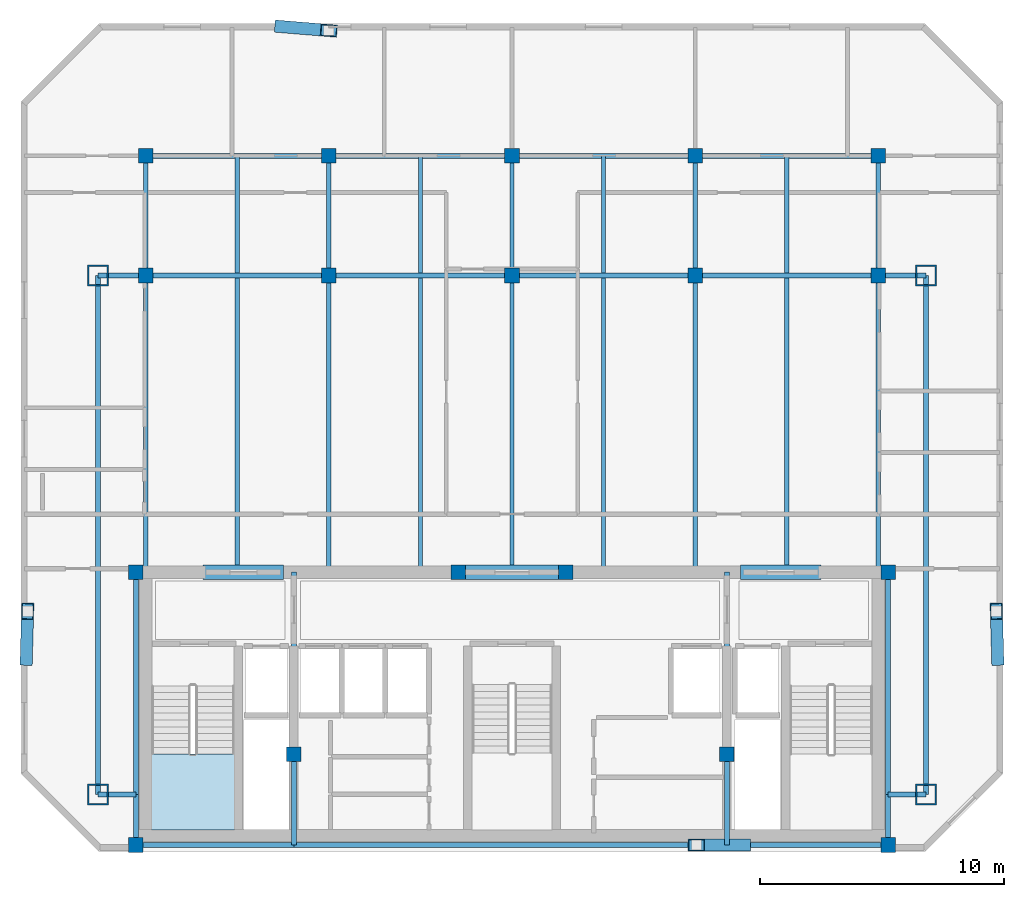
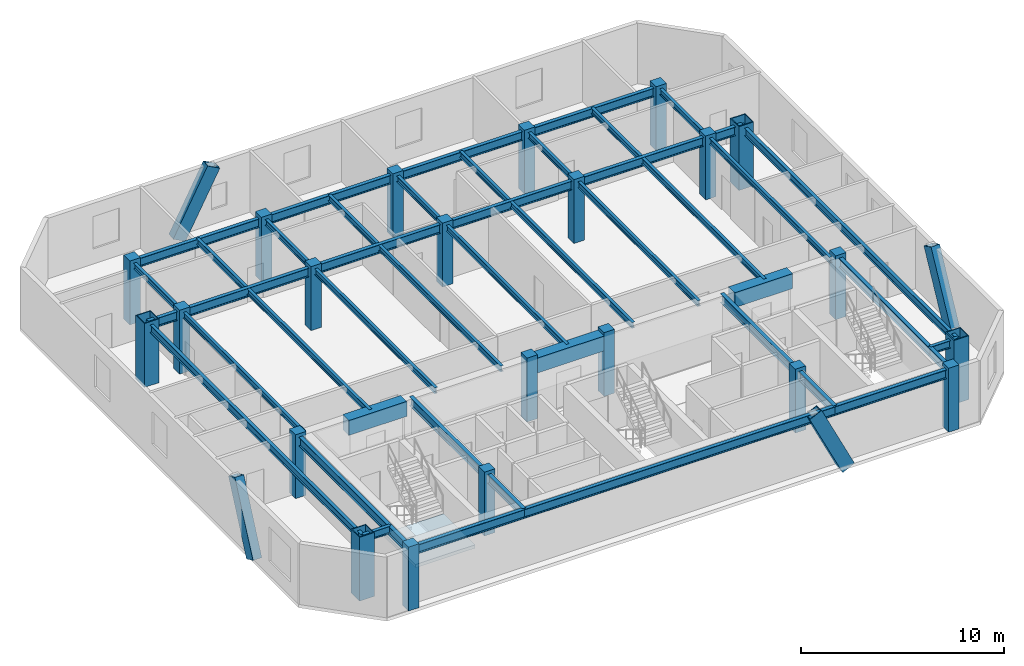
# One storey, part 1 of 6: 46 beams, 22 columns, 4 members, 1 slab, 1 element without a shape of its own.
"""IFC4 building model written with IfcOpenShell, lengths in metres."""

from ifc_helpers import new_model, si_unit, direction, frame, origin, origin_2d, place, context, subcontext, project, spatial, polyline, rectangle, hollow_rectangle, i_section, outline, extrude, material, layer, layer_set, material_profile, profile_set, type_object, element, aggregate, save


model = new_model("IFC4")

# Units and contexts
model_context = context("Model", 3, precision=1e-05, world=origin(), true_north=direction((0.0, 1.0)))
body_context = subcontext(model_context, "Body", "Model", "MODEL_VIEW")
ifc_project = project(units=[si_unit("LENGTHUNIT", "METRE"), si_unit("AREAUNIT", "SQUARE_METRE"), si_unit("VOLUMEUNIT", "CUBIC_METRE"), si_unit("PLANEANGLEUNIT", "RADIAN"), si_unit("MASSUNIT", "GRAM", prefix="KILO")], contexts=[model_context])

# Site, building, storey
site_placement = place(None, origin())
site = spatial("IfcSite", under=ifc_project, at=site_placement, CompositionType="ELEMENT")
building_placement = place(site_placement, origin())
building = spatial("IfcBuilding", under=site, at=building_placement, Name="Ventersveld Concourse Tower", CompositionType="ELEMENT")
storey_placement = place(building_placement, frame((0.0, 0.0, 296.449951171875)))
storey = spatial("IfcBuildingStorey", under=building, at=storey_placement, Name="L73", CompositionType="ELEMENT", Elevation=296.449951171875)

# Columns
ifc_material_1 = material(Name="Concrete C50/60", Category="concrete")
ifc_material_profile_1 = material_profile(ifc_material_1, rectangle(XDim=0.60009765625, YDim=0.60009765625, at=origin_2d()), Name="RC 600x600")
ifc_profile_set_1 = profile_set([ifc_material_profile_1], Name="Concrete C50/60")
column_type_1 = type_object("IfcColumnType", Name="COL-RC600", PredefinedType="COLUMN", material=ifc_profile_set_1)
for number, where, z_axis, x_axis, name in (
    (1, (13.35009765625, 0.280029296875, 0.0), (0.0, 0.0, 1.0), (1.0, 0.0, 0.0), "L73 Core Spine Column CC-SW"),
    (2, (44.14990234375, 0.280029296875, 0.0), (0.0, 0.0, 1.0), (1.0, 0.0, 0.0), "L73 Core Spine Column CC-SE"),
    (3, (13.35009765625, 11.449951171875, 0.0), (0.0, 0.0, 1.0), (1.0, 0.0, 0.0), "L73 Core Spine Column CC-NW"),
    (4, (44.14990234375, 11.449951171875, 0.0), (0.0, 0.0, 1.0), (1.0, 0.0, 0.0), "L73 Core Spine Column CC-NE"),
    (5, (19.820068359375, 4.0, 0.0), (0.0, 0.0, 1.0), (1.0, 0.0, 0.0), "L73 Core Spine Column CM-1"),
    (6, (37.550048828125, 4.0, 0.0), (0.0, 0.0, 1.0), (1.0, 0.0, 0.0), "L73 Core Spine Column CM-2"),
    (7, (26.550048828125, 11.449951171875, 0.0), (0.0, 0.0, 1.0), (1.0, 0.0, 0.0), "L73 Core Spine Column CM-3"),
    (8, (30.949951171875, 11.449951171875, 0.0), (0.0, 0.0, 1.0), (1.0, 0.0, 0.0), "L73 Core Spine Column CM-4"),
    (9, (13.75, 23.60009765625, 0.0), (0.0, 0.0, 1.0), (1.0, 0.0, 0.0), "L73 Interior Gravity Column X=13.75 Y=23.60"),
    (10, (21.25, 23.60009765625, 0.0), (0.0, 0.0, 1.0), (1.0, 0.0, 0.0), "L73 Interior Gravity Column X=21.25 Y=23.60"),
    (11, (28.75, 23.60009765625, 0.0), (0.0, 0.0, 1.0), (1.0, 0.0, 0.0), "L73 Interior Gravity Column X=28.75 Y=23.60"),
    (12, (36.25, 23.60009765625, 0.0), (0.0, 0.0, 1.0), (1.0, 0.0, 0.0), "L73 Interior Gravity Column X=36.25 Y=23.60"),
    (13, (43.75, 23.60009765625, 0.0), (0.0, 0.0, 1.0), (1.0, 0.0, 0.0), "L73 Interior Gravity Column X=43.75 Y=23.60"),
    (14, (13.75, 28.5, 0.0), (0.0, 0.0, 1.0), (1.0, 0.0, 0.0), "L73 Upper-North Gravity Column X=13.75 Y=28.50"),
    (15, (21.25, 28.5, 0.0), (0.0, 0.0, 1.0), (1.0, 0.0, 0.0), "L73 Upper-North Gravity Column X=21.25 Y=28.50"),
    (16, (28.75, 28.5, 0.0), (0.0, 0.0, 1.0), (1.0, 0.0, 0.0), "L73 Upper-North Gravity Column X=28.75 Y=28.50"),
    (17, (36.25, 28.5, 0.0), (0.0, 0.0, 1.0), (1.0, 0.0, 0.0), "L73 Upper-North Gravity Column X=36.25 Y=28.50"),
    (18, (43.75, 28.5, 0.0), (0.0, 0.0, 1.0), (1.0, 0.0, 0.0), "L73 Upper-North Gravity Column X=43.75 Y=28.50"),
):
    element("IfcColumn", number, at=place(storey_placement, frame(where, z_axis=z_axis, x_axis=x_axis)), inside=storey, type_object=column_type_1, Name=name, PredefinedType="COLUMN", context=body_context, shape_type="SweptSolid", body=[
        extrude(rectangle(XDim=0.60009765625, YDim=0.60009765625, at=origin_2d()), origin(), (0.0, 0.0, 1.0), 3.85009765625),
    ])
ifc_material_2 = material(Name="Structural steel S460ML", Category="steel")
ifc_material_profile_2 = material_profile(ifc_material_2, hollow_rectangle(XDim=0.85009765625, YDim=0.85009765625, WallThickness=0.050048828125, at=origin_2d()), Name="BOX 850x850x50")
ifc_profile_set_2 = profile_set([ifc_material_profile_2], Name="Structural steel S460ML")
column_type_2 = type_object("IfcColumnType", Name="MC-850", PredefinedType="USERDEFINED", material=ifc_profile_set_2)
for number, where, z_axis, x_axis, name in (
    (19, (11.800048828125, 2.35009765625, 0.0), (0.0, 0.0, 1.0), (1.0, 0.0, 0.0), "L73 Corner Mega-Column MC-SW"),
    (20, (45.699951171875, 2.35009765625, 0.0), (0.0, 0.0, 1.0), (1.0, 0.0, 0.0), "L73 Corner Mega-Column MC-SE"),
    (21, (45.699951171875, 23.60009765625, 0.0), (0.0, 0.0, 1.0), (1.0, 0.0, 0.0), "L73 Corner Mega-Column MC-NE"),
    (22, (11.800048828125, 23.60009765625, 0.0), (0.0, 0.0, 1.0), (1.0, 0.0, 0.0), "L73 Corner Mega-Column MC-NW"),
):
    element("IfcColumn", number, at=place(storey_placement, frame(where, z_axis=z_axis, x_axis=x_axis)), inside=storey, type_object=column_type_2, Name=name, ObjectType="MEGA_COLUMN", PredefinedType="USERDEFINED", context=body_context, shape_type="SweptSolid", body=[
        extrude(hollow_rectangle(XDim=0.85009765625, YDim=0.85009765625, WallThickness=0.050048828125, at=origin_2d()), origin(), (0.0, 0.0, 1.0), 3.85009765625),
    ])

# Beams
ifc_material_3 = material(Name="Structural steel S355J2", Category="steel")
ifc_material_profile_3 = material_profile(ifc_material_3, i_section(OverallWidth=0.17138671875, OverallDepth=0.35498046875, WebThickness=0.00732421875, FlangeThickness=0.011474609375, FilletRadius=0.01025390625, at=origin_2d()), Name="UB 356x171x51")
ifc_profile_set_3 = profile_set([ifc_material_profile_3], Name="Structural steel S355J2")
beam_type_1 = type_object("IfcBeamType", Name="BM-UB356", PredefinedType="BEAM", material=ifc_profile_set_3)
beam_1_placement = place(storey_placement, frame((13.75, 11.449951171875, 3.47265625), z_axis=(0.0, 1.0, 0.0), x_axis=(-1.0, 0.0, 0.0)))
element("IfcBeam", 23, at=beam_1_placement, inside=storey, type_object=beam_type_1, Name="L73 N-S Composite Floor Beam South X=13.75", PredefinedType="BEAM", context=body_context, shape_type="SweptSolid", body=[
    extrude(i_section(OverallWidth=0.17138671875, OverallDepth=0.35498046875, WebThickness=0.00732421875, FlangeThickness=0.011474609375, FilletRadius=0.01025390625, at=origin_2d()), origin(), (0.0, 0.0, 1.0), 12.150146484375),
])
beam_2_placement = place(storey_placement, frame((13.75, 23.60009765625, 3.47265625), z_axis=(0.0, 1.0, 0.0), x_axis=(-1.0, 0.0, 0.0)))
element("IfcBeam", 24, at=beam_2_placement, inside=storey, type_object=beam_type_1, Name="L73 N-S Upper-Zone Floor Beam X=13.75", PredefinedType="BEAM", context=body_context, shape_type="SweptSolid", body=[
    extrude(i_section(OverallWidth=0.17138671875, OverallDepth=0.35498046875, WebThickness=0.00732421875, FlangeThickness=0.011474609375, FilletRadius=0.01025390625, at=origin_2d()), origin(), (0.0, 0.0, 1.0), 4.89990234375),
])
beam_3_placement = place(storey_placement, frame((17.5, 11.449951171875, 3.47265625), z_axis=(0.0, 1.0, 0.0), x_axis=(-1.0, 0.0, 0.0)))
element("IfcBeam", 25, at=beam_3_placement, inside=storey, type_object=beam_type_1, Name="L73 N-S Composite Floor Beam South X=17.50", PredefinedType="BEAM", context=body_context, shape_type="SweptSolid", body=[
    extrude(i_section(OverallWidth=0.17138671875, OverallDepth=0.35498046875, WebThickness=0.00732421875, FlangeThickness=0.011474609375, FilletRadius=0.01025390625, at=origin_2d()), origin(), (0.0, 0.0, 1.0), 12.054931640625),
])
beam_4_placement = place(storey_placement, frame((17.5, 23.695068359375, 3.47265625), z_axis=(0.0, 1.0, 0.0), x_axis=(-1.0, 0.0, 0.0)))
element("IfcBeam", 26, at=beam_4_placement, inside=storey, type_object=beam_type_1, Name="L73 N-S Upper-Zone Floor Beam X=17.50", PredefinedType="BEAM", context=body_context, shape_type="SweptSolid", body=[
    extrude(i_section(OverallWidth=0.17138671875, OverallDepth=0.35498046875, WebThickness=0.00732421875, FlangeThickness=0.011474609375, FilletRadius=0.01025390625, at=origin_2d()), origin(), (0.0, 0.0, 1.0), 4.804931640625),
])
beam_5_placement = place(storey_placement, frame((21.25, 11.449951171875, 3.47265625), z_axis=(0.0, 1.0, 0.0), x_axis=(-1.0, 0.0, 0.0)))
element("IfcBeam", 27, at=beam_5_placement, inside=storey, type_object=beam_type_1, Name="L73 N-S Composite Floor Beam South X=21.25", PredefinedType="BEAM", context=body_context, shape_type="SweptSolid", body=[
    extrude(i_section(OverallWidth=0.17138671875, OverallDepth=0.35498046875, WebThickness=0.00732421875, FlangeThickness=0.011474609375, FilletRadius=0.01025390625, at=origin_2d()), origin(), (0.0, 0.0, 1.0), 12.150146484375),
])
beam_6_placement = place(storey_placement, frame((21.25, 23.60009765625, 3.47265625), z_axis=(0.0, 1.0, 0.0), x_axis=(-1.0, 0.0, 0.0)))
element("IfcBeam", 28, at=beam_6_placement, inside=storey, type_object=beam_type_1, Name="L73 N-S Upper-Zone Floor Beam X=21.25", PredefinedType="BEAM", context=body_context, shape_type="SweptSolid", body=[
    extrude(i_section(OverallWidth=0.17138671875, OverallDepth=0.35498046875, WebThickness=0.00732421875, FlangeThickness=0.011474609375, FilletRadius=0.01025390625, at=origin_2d()), origin(), (0.0, 0.0, 1.0), 4.89990234375),
])
beam_7_placement = place(storey_placement, frame((25.0, 11.449951171875, 3.47265625), z_axis=(0.0, 1.0, 0.0), x_axis=(-1.0, 0.0, 0.0)))
element("IfcBeam", 29, at=beam_7_placement, inside=storey, type_object=beam_type_1, Name="L73 N-S Composite Floor Beam South X=25.00", PredefinedType="BEAM", context=body_context, shape_type="SweptSolid", body=[
    extrude(i_section(OverallWidth=0.17138671875, OverallDepth=0.35498046875, WebThickness=0.00732421875, FlangeThickness=0.011474609375, FilletRadius=0.01025390625, at=origin_2d()), origin(), (0.0, 0.0, 1.0), 12.054931640625),
])
beam_8_placement = place(storey_placement, frame((25.0, 23.695068359375, 3.47265625), z_axis=(0.0, 1.0, 0.0), x_axis=(-1.0, 0.0, 0.0)))
element("IfcBeam", 30, at=beam_8_placement, inside=storey, type_object=beam_type_1, Name="L73 N-S Upper-Zone Floor Beam X=25.00", PredefinedType="BEAM", context=body_context, shape_type="SweptSolid", body=[
    extrude(i_section(OverallWidth=0.17138671875, OverallDepth=0.35498046875, WebThickness=0.00732421875, FlangeThickness=0.011474609375, FilletRadius=0.01025390625, at=origin_2d()), origin(), (0.0, 0.0, 1.0), 4.804931640625),
])
beam_9_placement = place(storey_placement, frame((28.75, 11.449951171875, 3.47265625), z_axis=(0.0, 1.0, 0.0), x_axis=(-1.0, 0.0, 0.0)))
element("IfcBeam", 31, at=beam_9_placement, inside=storey, type_object=beam_type_1, Name="L73 N-S Composite Floor Beam South X=28.75", PredefinedType="BEAM", context=body_context, shape_type="SweptSolid", body=[
    extrude(i_section(OverallWidth=0.17138671875, OverallDepth=0.35498046875, WebThickness=0.00732421875, FlangeThickness=0.011474609375, FilletRadius=0.01025390625, at=origin_2d()), origin(), (0.0, 0.0, 1.0), 12.150146484375),
])
beam_10_placement = place(storey_placement, frame((28.75, 23.60009765625, 3.47265625), z_axis=(0.0, 1.0, 0.0), x_axis=(-1.0, 0.0, 0.0)))
element("IfcBeam", 32, at=beam_10_placement, inside=storey, type_object=beam_type_1, Name="L73 N-S Upper-Zone Floor Beam X=28.75", PredefinedType="BEAM", context=body_context, shape_type="SweptSolid", body=[
    extrude(i_section(OverallWidth=0.17138671875, OverallDepth=0.35498046875, WebThickness=0.00732421875, FlangeThickness=0.011474609375, FilletRadius=0.01025390625, at=origin_2d()), origin(), (0.0, 0.0, 1.0), 4.89990234375),
])
beam_11_placement = place(storey_placement, frame((32.5, 11.449951171875, 3.47265625), z_axis=(0.0, 1.0, 0.0), x_axis=(-1.0, 0.0, 0.0)))
element("IfcBeam", 33, at=beam_11_placement, inside=storey, type_object=beam_type_1, Name="L73 N-S Composite Floor Beam South X=32.50", PredefinedType="BEAM", context=body_context, shape_type="SweptSolid", body=[
    extrude(i_section(OverallWidth=0.17138671875, OverallDepth=0.35498046875, WebThickness=0.00732421875, FlangeThickness=0.011474609375, FilletRadius=0.01025390625, at=origin_2d()), origin(), (0.0, 0.0, 1.0), 12.054931640625),
])
beam_12_placement = place(storey_placement, frame((32.5, 23.695068359375, 3.47265625), z_axis=(0.0, 1.0, 0.0), x_axis=(-1.0, 0.0, 0.0)))
element("IfcBeam", 34, at=beam_12_placement, inside=storey, type_object=beam_type_1, Name="L73 N-S Upper-Zone Floor Beam X=32.50", PredefinedType="BEAM", context=body_context, shape_type="SweptSolid", body=[
    extrude(i_section(OverallWidth=0.17138671875, OverallDepth=0.35498046875, WebThickness=0.00732421875, FlangeThickness=0.011474609375, FilletRadius=0.01025390625, at=origin_2d()), origin(), (0.0, 0.0, 1.0), 4.804931640625),
])
beam_13_placement = place(storey_placement, frame((36.25, 11.449951171875, 3.47265625), z_axis=(0.0, 1.0, 0.0), x_axis=(-1.0, 0.0, 0.0)))
element("IfcBeam", 35, at=beam_13_placement, inside=storey, type_object=beam_type_1, Name="L73 N-S Composite Floor Beam South X=36.25", PredefinedType="BEAM", context=body_context, shape_type="SweptSolid", body=[
    extrude(i_section(OverallWidth=0.17138671875, OverallDepth=0.35498046875, WebThickness=0.00732421875, FlangeThickness=0.011474609375, FilletRadius=0.01025390625, at=origin_2d()), origin(), (0.0, 0.0, 1.0), 12.150146484375),
])
beam_14_placement = place(storey_placement, frame((36.25, 23.60009765625, 3.47265625), z_axis=(0.0, 1.0, 0.0), x_axis=(-1.0, 0.0, 0.0)))
element("IfcBeam", 36, at=beam_14_placement, inside=storey, type_object=beam_type_1, Name="L73 N-S Upper-Zone Floor Beam X=36.25", PredefinedType="BEAM", context=body_context, shape_type="SweptSolid", body=[
    extrude(i_section(OverallWidth=0.17138671875, OverallDepth=0.35498046875, WebThickness=0.00732421875, FlangeThickness=0.011474609375, FilletRadius=0.01025390625, at=origin_2d()), origin(), (0.0, 0.0, 1.0), 4.89990234375),
])
beam_15_placement = place(storey_placement, frame((40.0, 11.449951171875, 3.47265625), z_axis=(0.0, 1.0, 0.0), x_axis=(-1.0, 0.0, 0.0)))
element("IfcBeam", 37, at=beam_15_placement, inside=storey, type_object=beam_type_1, Name="L73 N-S Composite Floor Beam South X=40.00", PredefinedType="BEAM", context=body_context, shape_type="SweptSolid", body=[
    extrude(i_section(OverallWidth=0.17138671875, OverallDepth=0.35498046875, WebThickness=0.00732421875, FlangeThickness=0.011474609375, FilletRadius=0.01025390625, at=origin_2d()), origin(), (0.0, 0.0, 1.0), 12.054931640625),
])
beam_16_placement = place(storey_placement, frame((40.0, 23.695068359375, 3.47265625), z_axis=(0.0, 1.0, 0.0), x_axis=(-1.0, 0.0, 0.0)))
element("IfcBeam", 38, at=beam_16_placement, inside=storey, type_object=beam_type_1, Name="L73 N-S Upper-Zone Floor Beam X=40.00", PredefinedType="BEAM", context=body_context, shape_type="SweptSolid", body=[
    extrude(i_section(OverallWidth=0.17138671875, OverallDepth=0.35498046875, WebThickness=0.00732421875, FlangeThickness=0.011474609375, FilletRadius=0.01025390625, at=origin_2d()), origin(), (0.0, 0.0, 1.0), 4.804931640625),
])
beam_17_placement = place(storey_placement, frame((43.75, 11.449951171875, 3.47265625), z_axis=(0.0, 1.0, 0.0), x_axis=(-1.0, 0.0, 0.0)))
element("IfcBeam", 39, at=beam_17_placement, inside=storey, type_object=beam_type_1, Name="L73 N-S Composite Floor Beam South X=43.75", PredefinedType="BEAM", context=body_context, shape_type="SweptSolid", body=[
    extrude(i_section(OverallWidth=0.17138671875, OverallDepth=0.35498046875, WebThickness=0.00732421875, FlangeThickness=0.011474609375, FilletRadius=0.01025390625, at=origin_2d()), origin(), (0.0, 0.0, 1.0), 12.150146484375),
])
beam_18_placement = place(storey_placement, frame((43.75, 23.60009765625, 3.47265625), z_axis=(0.0, 1.0, 0.0), x_axis=(-1.0, 0.0, 0.0)))
element("IfcBeam", 40, at=beam_18_placement, inside=storey, type_object=beam_type_1, Name="L73 N-S Upper-Zone Floor Beam X=43.75", PredefinedType="BEAM", context=body_context, shape_type="SweptSolid", body=[
    extrude(i_section(OverallWidth=0.17138671875, OverallDepth=0.35498046875, WebThickness=0.00732421875, FlangeThickness=0.011474609375, FilletRadius=0.01025390625, at=origin_2d()), origin(), (0.0, 0.0, 1.0), 4.89990234375),
])
ifc_material_profile_4 = material_profile(ifc_material_1, rectangle(XDim=0.60009765625, YDim=0.89990234375, at=origin_2d()), Name="RC 600x900")
ifc_profile_set_4 = profile_set([ifc_material_profile_4], Name="Concrete C50/60")
beam_type_2 = type_object("IfcBeamType", Name="CB-RC600x900U", PredefinedType="LINTEL", material=ifc_profile_set_4)
beam_19_placement = place(storey_placement, frame((16.10009765625, 11.449951171875, 3.199951171875), z_axis=(1.0, 0.0, 0.0), x_axis=(0.0, 1.0, 0.0)))
element("IfcBeam", 41, at=beam_19_placement, inside=storey, type_object=beam_type_2, Name="L73 Core Coupling Lintel Beam 1", PredefinedType="LINTEL", context=body_context, shape_type="SweptSolid", body=[
    extrude(rectangle(XDim=0.60009765625, YDim=0.89990234375, at=origin_2d()), origin(), (0.0, 0.0, 1.0), 3.2998046875),
])
beam_20_placement = place(storey_placement, frame((26.5, 11.449951171875, 3.199951171875), z_axis=(1.0, 0.0, 0.0), x_axis=(0.0, 1.0, 0.0)))
element("IfcBeam", 42, at=beam_20_placement, inside=storey, type_object=beam_type_2, Name="L73 Core Coupling Lintel Beam 2", PredefinedType="LINTEL", context=body_context, shape_type="SweptSolid", body=[
    extrude(rectangle(XDim=0.60009765625, YDim=0.89990234375, at=origin_2d()), origin(), (0.0, 0.0, 1.0), 4.5),
])
beam_21_placement = place(storey_placement, frame((38.10009765625, 11.449951171875, 3.199951171875), z_axis=(1.0, 0.0, 0.0), x_axis=(0.0, 1.0, 0.0)))
element("IfcBeam", 43, at=beam_21_placement, inside=storey, type_object=beam_type_2, Name="L73 Core Coupling Lintel Beam 3", PredefinedType="LINTEL", context=body_context, shape_type="SweptSolid", body=[
    extrude(rectangle(XDim=0.60009765625, YDim=0.89990234375, at=origin_2d()), origin(), (0.0, 0.0, 1.0), 3.2998046875),
])
ifc_material_profile_5 = material_profile(ifc_material_3, i_section(OverallWidth=0.209228515625, OverallDepth=0.533203125, WebThickness=0.010009765625, FlangeThickness=0.015625, FilletRadius=0.0126953125, at=origin_2d()), Name="UB 533x210x92")
ifc_profile_set_5 = profile_set([ifc_material_profile_5], Name="Structural steel S355J2")
beam_type_3 = type_object("IfcBeamType", Name="GRD-UB533", PredefinedType="T_BEAM", material=ifc_profile_set_5)
beam_22_placement = place(storey_placement, frame((11.800048828125, 23.60009765625, 3.383544921875), z_axis=(1.0, 0.0, 0.0), x_axis=(0.0, 1.0, 0.0)))
element("IfcBeam", 44, at=beam_22_placement, inside=storey, type_object=beam_type_3, Name="L73 Primary E-W Grid Girder Y=23.60 #1", PredefinedType="T_BEAM", context=body_context, shape_type="SweptSolid", body=[
    extrude(i_section(OverallWidth=0.209228515625, OverallDepth=0.533203125, WebThickness=0.010009765625, FlangeThickness=0.015625, FilletRadius=0.0126953125, at=origin_2d()), origin(), (0.0, 0.0, 1.0), 1.949951171875),
])
for number, where, z_axis, x_axis, name in (
    (45, (13.75, 23.60009765625, 3.383544921875), (1.0, 0.0, 0.0), (0.0, 1.0, 0.0), "L73 Primary E-W Grid Girder Y=23.60 #2"),
    (46, (21.25, 23.60009765625, 3.383544921875), (1.0, 0.0, 0.0), (0.0, 1.0, 0.0), "L73 Primary E-W Grid Girder Y=23.60 #3"),
    (47, (28.75, 23.60009765625, 3.383544921875), (1.0, 0.0, 0.0), (0.0, 1.0, 0.0), "L73 Primary E-W Grid Girder Y=23.60 #4"),
    (48, (36.25, 23.60009765625, 3.383544921875), (1.0, 0.0, 0.0), (0.0, 1.0, 0.0), "L73 Primary E-W Grid Girder Y=23.60 #5"),
):
    element("IfcBeam", number, at=place(storey_placement, frame(where, z_axis=z_axis, x_axis=x_axis)), inside=storey, type_object=beam_type_3, Name=name, PredefinedType="T_BEAM", context=body_context, shape_type="SweptSolid", body=[
        extrude(i_section(OverallWidth=0.209228515625, OverallDepth=0.533203125, WebThickness=0.010009765625, FlangeThickness=0.015625, FilletRadius=0.0126953125, at=origin_2d()), origin(), (0.0, 0.0, 1.0), 7.5),
    ])
beam_23_placement = place(storey_placement, frame((43.75, 23.60009765625, 3.383544921875), z_axis=(1.0, 0.0, 0.0), x_axis=(0.0, 1.0, 0.0)))
element("IfcBeam", 49, at=beam_23_placement, inside=storey, type_object=beam_type_3, Name="L73 Primary E-W Grid Girder Y=23.60 #6", PredefinedType="T_BEAM", context=body_context, shape_type="SweptSolid", body=[
    extrude(i_section(OverallWidth=0.209228515625, OverallDepth=0.533203125, WebThickness=0.010009765625, FlangeThickness=0.015625, FilletRadius=0.0126953125, at=origin_2d()), origin(), (0.0, 0.0, 1.0), 1.949951171875),
])
for number, where, z_axis, x_axis, name in (
    (50, (13.75, 28.5, 3.383544921875), (1.0, 0.0, 0.0), (0.0, 1.0, 0.0), "L73 Upper-North E-W Girder Y=28.50 #1"),
    (51, (21.25, 28.5, 3.383544921875), (1.0, 0.0, 0.0), (0.0, 1.0, 0.0), "L73 Upper-North E-W Girder Y=28.50 #2"),
    (52, (28.75, 28.5, 3.383544921875), (1.0, 0.0, 0.0), (0.0, 1.0, 0.0), "L73 Upper-North E-W Girder Y=28.50 #3"),
    (53, (36.25, 28.5, 3.383544921875), (1.0, 0.0, 0.0), (0.0, 1.0, 0.0), "L73 Upper-North E-W Girder Y=28.50 #4"),
):
    element("IfcBeam", number, at=place(storey_placement, frame(where, z_axis=z_axis, x_axis=x_axis)), inside=storey, type_object=beam_type_3, Name=name, PredefinedType="T_BEAM", context=body_context, shape_type="SweptSolid", body=[
        extrude(i_section(OverallWidth=0.209228515625, OverallDepth=0.533203125, WebThickness=0.010009765625, FlangeThickness=0.015625, FilletRadius=0.0126953125, at=origin_2d()), origin(), (0.0, 0.0, 1.0), 7.5),
    ])
ifc_material_profile_6 = material_profile(ifc_material_3, i_section(OverallWidth=0.2119140625, OverallDepth=0.54443359375, WebThickness=0.0126953125, FlangeThickness=0.021240234375, FilletRadius=0.0126953125, at=origin_2d()), Name="UB 533x210x122")
ifc_profile_set_6 = profile_set([ifc_material_profile_6], Name="Structural steel S355J2")
beam_type_4 = type_object("IfcBeamType", Name="GRD-UB533H", PredefinedType="T_BEAM", material=ifc_profile_set_6)
beam_24_placement = place(storey_placement, frame((13.35009765625, 0.280029296875, 3.3779296875), z_axis=(0.0, 1.0, 0.0), x_axis=(-1.0, 0.0, 0.0)))
element("IfcBeam", 54, at=beam_24_placement, inside=storey, type_object=beam_type_4, Name="L73 Core West Tie Beam S", PredefinedType="T_BEAM", context=body_context, shape_type="SweptSolid", body=[
    extrude(i_section(OverallWidth=0.2119140625, OverallDepth=0.54443359375, WebThickness=0.0126953125, FlangeThickness=0.021240234375, FilletRadius=0.0126953125, at=origin_2d()), origin(), (0.0, 0.0, 1.0), 2.070068359375),
])
beam_25_placement = place(storey_placement, frame((13.35009765625, 2.35009765625, 3.3779296875), z_axis=(0.0, 1.0, 0.0), x_axis=(-1.0, 0.0, 0.0)))
element("IfcBeam", 55, at=beam_25_placement, inside=storey, type_object=beam_type_4, Name="L73 Core West Tie Beam N", PredefinedType="T_BEAM", context=body_context, shape_type="SweptSolid", body=[
    extrude(i_section(OverallWidth=0.2119140625, OverallDepth=0.54443359375, WebThickness=0.0126953125, FlangeThickness=0.021240234375, FilletRadius=0.0126953125, at=origin_2d()), origin(), (0.0, 0.0, 1.0), 9.099853515625),
])
beam_26_placement = place(storey_placement, frame((44.14990234375, 0.280029296875, 3.3779296875), z_axis=(0.0, 1.0, 0.0), x_axis=(-1.0, 0.0, 0.0)))
element("IfcBeam", 56, at=beam_26_placement, inside=storey, type_object=beam_type_4, Name="L73 Core East Tie Beam S", PredefinedType="T_BEAM", context=body_context, shape_type="SweptSolid", body=[
    extrude(i_section(OverallWidth=0.2119140625, OverallDepth=0.54443359375, WebThickness=0.0126953125, FlangeThickness=0.021240234375, FilletRadius=0.0126953125, at=origin_2d()), origin(), (0.0, 0.0, 1.0), 2.070068359375),
])
beam_27_placement = place(storey_placement, frame((44.14990234375, 2.35009765625, 3.3779296875), z_axis=(0.0, 1.0, 0.0), x_axis=(-1.0, 0.0, 0.0)))
element("IfcBeam", 57, at=beam_27_placement, inside=storey, type_object=beam_type_4, Name="L73 Core East Tie Beam N", PredefinedType="T_BEAM", context=body_context, shape_type="SweptSolid", body=[
    extrude(i_section(OverallWidth=0.2119140625, OverallDepth=0.54443359375, WebThickness=0.0126953125, FlangeThickness=0.021240234375, FilletRadius=0.0126953125, at=origin_2d()), origin(), (0.0, 0.0, 1.0), 9.099853515625),
])
beam_28_placement = place(storey_placement, frame((13.35009765625, 0.280029296875, 3.3779296875), z_axis=(1.0, 0.0, 0.0), x_axis=(0.0, 1.0, 0.0)))
element("IfcBeam", 58, at=beam_28_placement, inside=storey, type_object=beam_type_4, Name="L73 Core South Tie Beam W", PredefinedType="T_BEAM", context=body_context, shape_type="SweptSolid", body=[
    extrude(i_section(OverallWidth=0.2119140625, OverallDepth=0.54443359375, WebThickness=0.0126953125, FlangeThickness=0.021240234375, FilletRadius=0.0126953125, at=origin_2d()), origin(), (0.0, 0.0, 1.0), 6.469970703125),
])
beam_29_placement = place(storey_placement, frame((19.820068359375, 0.280029296875, 3.3779296875), z_axis=(1.0, 0.0, 0.0), x_axis=(0.0, 1.0, 0.0)))
element("IfcBeam", 59, at=beam_29_placement, inside=storey, type_object=beam_type_4, Name="L73 Core South Tie Beam C", PredefinedType="T_BEAM", context=body_context, shape_type="SweptSolid", body=[
    extrude(i_section(OverallWidth=0.2119140625, OverallDepth=0.54443359375, WebThickness=0.0126953125, FlangeThickness=0.021240234375, FilletRadius=0.0126953125, at=origin_2d()), origin(), (0.0, 0.0, 1.0), 17.72998046875),
])
beam_30_placement = place(storey_placement, frame((37.550048828125, 0.280029296875, 3.3779296875), z_axis=(1.0, 0.0, 0.0), x_axis=(0.0, 1.0, 0.0)))
element("IfcBeam", 60, at=beam_30_placement, inside=storey, type_object=beam_type_4, Name="L73 Core South Tie Beam E", PredefinedType="T_BEAM", context=body_context, shape_type="SweptSolid", body=[
    extrude(i_section(OverallWidth=0.2119140625, OverallDepth=0.54443359375, WebThickness=0.0126953125, FlangeThickness=0.021240234375, FilletRadius=0.0126953125, at=origin_2d()), origin(), (0.0, 0.0, 1.0), 6.599853515625),
])
beam_31_placement = place(storey_placement, frame((19.820068359375, 0.280029296875, 3.3779296875), z_axis=(0.0, 1.0, 0.0), x_axis=(-1.0, 0.0, 0.0)))
element("IfcBeam", 61, at=beam_31_placement, inside=storey, type_object=beam_type_4, Name="L73 Core Spine N-S Tie Beam W1", PredefinedType="T_BEAM", context=body_context, shape_type="SweptSolid", body=[
    extrude(i_section(OverallWidth=0.2119140625, OverallDepth=0.54443359375, WebThickness=0.0126953125, FlangeThickness=0.021240234375, FilletRadius=0.0126953125, at=origin_2d()), origin(), (0.0, 0.0, 1.0), 3.719970703125),
])
beam_32_placement = place(storey_placement, frame((19.820068359375, 4.0, 3.3779296875), z_axis=(0.0, 1.0, 0.0), x_axis=(-1.0, 0.0, 0.0)))
element("IfcBeam", 62, at=beam_32_placement, inside=storey, type_object=beam_type_4, Name="L73 Core Spine N-S Tie Beam W2", PredefinedType="T_BEAM", context=body_context, shape_type="SweptSolid", body=[
    extrude(i_section(OverallWidth=0.2119140625, OverallDepth=0.54443359375, WebThickness=0.0126953125, FlangeThickness=0.021240234375, FilletRadius=0.0126953125, at=origin_2d()), origin(), (0.0, 0.0, 1.0), 7.449951171875),
])
beam_33_placement = place(storey_placement, frame((37.550048828125, 0.280029296875, 3.3779296875), z_axis=(0.0, 1.0, 0.0), x_axis=(-1.0, 0.0, 0.0)))
element("IfcBeam", 63, at=beam_33_placement, inside=storey, type_object=beam_type_4, Name="L73 Core Spine N-S Tie Beam E1", PredefinedType="T_BEAM", context=body_context, shape_type="SweptSolid", body=[
    extrude(i_section(OverallWidth=0.2119140625, OverallDepth=0.54443359375, WebThickness=0.0126953125, FlangeThickness=0.021240234375, FilletRadius=0.0126953125, at=origin_2d()), origin(), (0.0, 0.0, 1.0), 3.719970703125),
])
beam_34_placement = place(storey_placement, frame((37.550048828125, 4.0, 3.3779296875), z_axis=(0.0, 1.0, 0.0), x_axis=(-1.0, 0.0, 0.0)))
element("IfcBeam", 64, at=beam_34_placement, inside=storey, type_object=beam_type_4, Name="L73 Core Spine N-S Tie Beam E2", PredefinedType="T_BEAM", context=body_context, shape_type="SweptSolid", body=[
    extrude(i_section(OverallWidth=0.2119140625, OverallDepth=0.54443359375, WebThickness=0.0126953125, FlangeThickness=0.021240234375, FilletRadius=0.0126953125, at=origin_2d()), origin(), (0.0, 0.0, 1.0), 7.449951171875),
])

# Members
ifc_material_4 = material(Name="Structural steel S355ML", Category="steel")
ifc_material_profile_7 = material_profile(ifc_material_4, hollow_rectangle(XDim=0.5, YDim=0.75, WallThickness=0.034912109375, at=origin_2d()), Name="BOX 750x500x35")
ifc_profile_set_7 = profile_set([ifc_material_profile_7], Name="Structural steel S355ML")
member_type = type_object("IfcMemberType", Name="MB-750x500", PredefinedType="BRACE", material=ifc_profile_set_7)
member_1_placement = place(storey_placement, frame((19.375, 33.7841796875, -0.199951171875), z_axis=(0.437555539064, -0.036007174569, 0.898470162896), x_axis=(0.082014437678, 0.996631141402, 0.0)))
element("IfcMember", 65, at=member_1_placement, inside=storey, type_object=member_type, Name="L73 Exterior Mega-Brace N (Module M17)", PredefinedType="BRACE", context=body_context, shape_type="SweptSolid", body=[
    extrude(hollow_rectangle(XDim=0.5, YDim=0.75, WallThickness=0.034912109375, at=origin_2d()), origin(), (0.0, 0.0, 1.0), 4.28515625),
])
member_2_placement = place(storey_placement, frame((38.175048828125, 0.280029296875, -0.199951171875), z_axis=(-0.437839464193, 0.0, 0.899053170616), x_axis=(0.0, -1.0, 0.0)))
element("IfcMember", 66, at=member_2_placement, inside=storey, type_object=member_type, Name="L73 Exterior Mega-Brace S (Module M17)", PredefinedType="BRACE", context=body_context, shape_type="SweptSolid", body=[
    extrude(hollow_rectangle(XDim=0.5, YDim=0.75, WallThickness=0.034912109375, at=origin_2d()), origin(), (0.0, 0.0, 1.0), 4.282470703125),
])
for number, where, z_axis, x_axis, name in (
    (67, (8.8642578125, 7.97509765625, -0.199951171875), (0.012427295892, 0.437805653432, 0.898983744091), (-0.999597377348, 0.028373988055, 0.0), "L73 Exterior Mega-Brace W (Module M17)"),
    (68, (48.6357421875, 7.97509765625, -0.199951171875), (-0.012427295892, 0.437805653432, 0.898983744091), (-0.999597377348, -0.028373988055, 0.0), "L73 Exterior Mega-Brace E (Module M17)"),
):
    element("IfcMember", number, at=place(storey_placement, frame(where, z_axis=z_axis, x_axis=x_axis)), inside=storey, type_object=member_type, Name=name, PredefinedType="BRACE", context=body_context, shape_type="SweptSolid", body=[
        extrude(hollow_rectangle(XDim=0.5, YDim=0.75, WallThickness=0.034912109375, at=origin_2d()), origin(), (0.0, 0.0, 1.0), 4.28271484375),
    ])

# Beams
ifc_material_profile_8 = material_profile(ifc_material_3, i_section(OverallWidth=0.19140625, OverallDepth=0.4599609375, WebThickness=0.010009765625, FlangeThickness=0.01611328125, FilletRadius=0.01025390625, at=origin_2d()), Name="UB 457x191x82")
ifc_profile_set_8 = profile_set([ifc_material_profile_8], Name="Structural steel S355J2")
beam_type_5 = type_object("IfcBeamType", Name="SPD-UB457", PredefinedType="SPANDREL", material=ifc_profile_set_8)
for number, where, z_axis, x_axis, name in (
    (69, (11.800048828125, 2.35009765625, 3.420166015625), (1.0, 0.0, 0.0), (0.0, 1.0, 0.0), "L73 SW Spandrel Beam"),
    (70, (44.14990234375, 2.35009765625, 3.420166015625), (1.0, 0.0, 0.0), (0.0, 1.0, 0.0), "L73 SE Spandrel Beam"),
):
    element("IfcBeam", number, at=place(storey_placement, frame(where, z_axis=z_axis, x_axis=x_axis)), inside=storey, type_object=beam_type_5, Name=name, PredefinedType="SPANDREL", context=body_context, shape_type="SweptSolid", body=[
        extrude(i_section(OverallWidth=0.19140625, OverallDepth=0.4599609375, WebThickness=0.010009765625, FlangeThickness=0.01611328125, FilletRadius=0.01025390625, at=origin_2d()), origin(), (0.0, 0.0, 1.0), 1.550048828125),
    ])
for number, where, z_axis, x_axis, name in (
    (71, (11.800048828125, 2.35009765625, 3.420166015625), (0.0, 1.0, 0.0), (-1.0, 0.0, 0.0), "L73 West Spandrel Beam"),
    (72, (45.699951171875, 2.35009765625, 3.420166015625), (0.0, 1.0, 0.0), (-1.0, 0.0, 0.0), "L73 East Spandrel Beam"),
):
    element("IfcBeam", number, at=place(storey_placement, frame(where, z_axis=z_axis, x_axis=x_axis)), inside=storey, type_object=beam_type_5, Name=name, PredefinedType="SPANDREL", context=body_context, shape_type="SweptSolid", body=[
        extrude(i_section(OverallWidth=0.19140625, OverallDepth=0.4599609375, WebThickness=0.010009765625, FlangeThickness=0.01611328125, FilletRadius=0.01025390625, at=origin_2d()), origin(), (0.0, 0.0, 1.0), 21.25),
    ])

# Stair, slab
stair_type = type_object("IfcStairType", Name="ST-DOG-160", PredefinedType="HALF_TURN_STAIR", material=ifc_material_1)
stair_placement = place(storey_placement, origin())
stair = element("IfcStair", 73, at=stair_placement, inside=storey, type_object=stair_type, Name="L73 Protected Tower Escape Stair ST-01", PredefinedType="HALF_TURN_STAIR")
ifc_layer = layer(ifc_material_1, 0.199951171875)
ifc_layer_set = layer_set([ifc_layer], Name="Concrete C50/60")
slab_type = type_object("IfcSlabType", Name="SL-LND-200", PredefinedType="LANDING", material=ifc_layer_set)
slab_placement = place(storey_placement, frame((0.0, 0.0, 1.72509765625)))
slab = element("IfcSlab", 74, at=slab_placement, type_object=slab_type, Name="ST-01 landing 1", PredefinedType="LANDING", context=body_context, shape_type="SweptSolid", body=[
    extrude(outline(polyline([(13.97998046875, 4.0), (13.97998046875, 0.89990234375), (17.3798828125, 0.89990234375), (17.3798828125, 4.0), (13.97998046875, 4.0)])), origin(), (0.0, 0.0, 1.0), 0.199951171875),
])
aggregate(stair, [slab])

save(model, "model.ifc")
